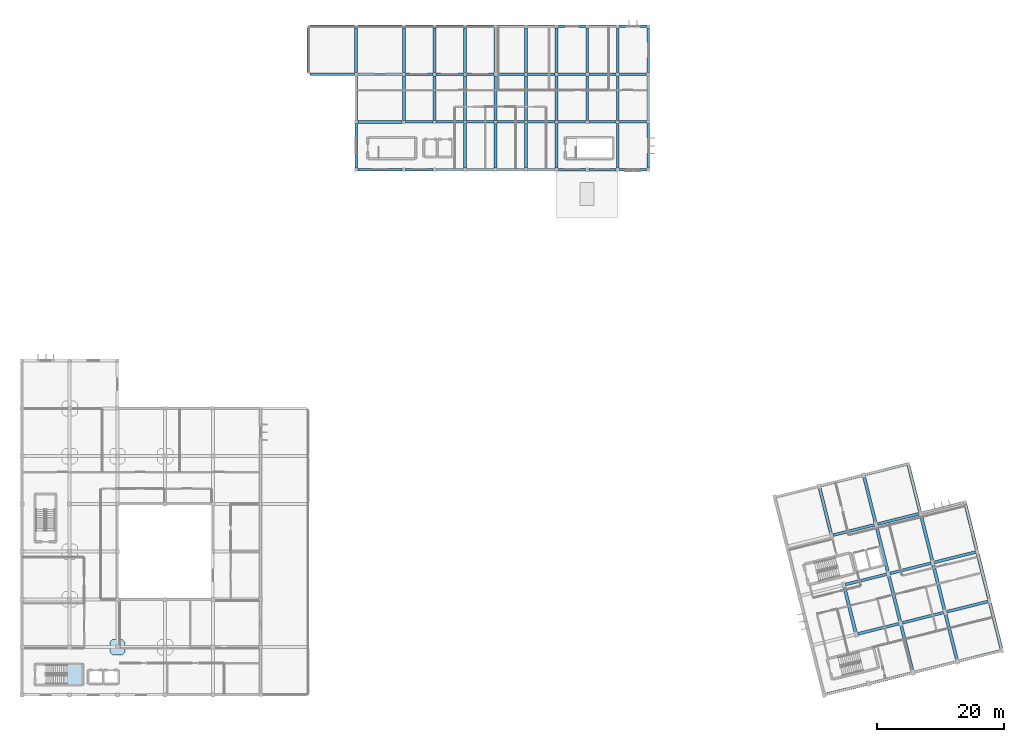
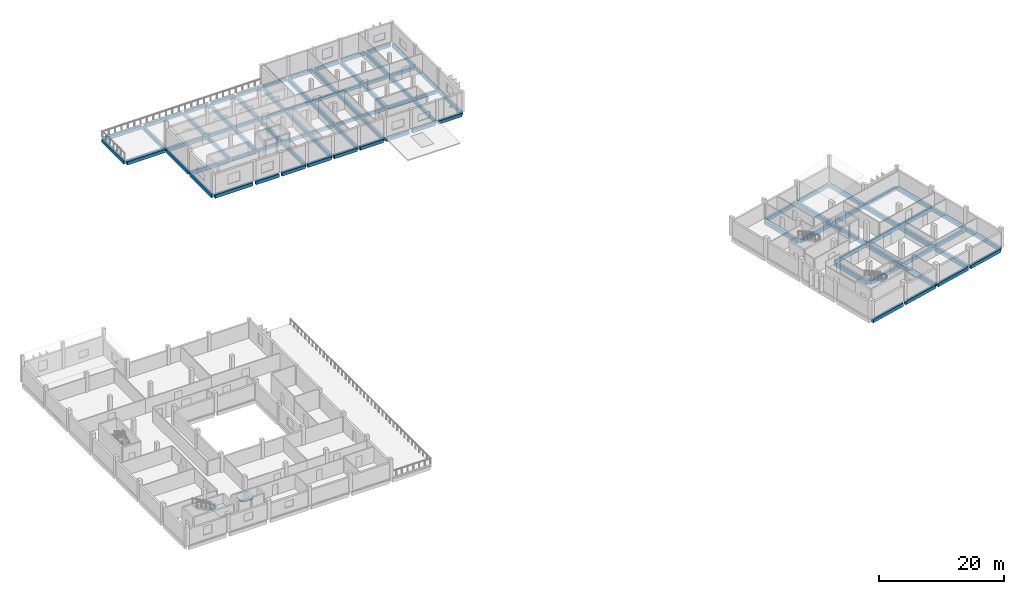
# One storey, part 3 of 21: 94 beams, 2 slabs, 1 element without a shape of its own.
"""IFC4 building model written with IfcOpenShell, lengths in metres."""

from ifc_helpers import new_model, si_unit, direction, frame, origin, origin_2d, place, context, subcontext, project, spatial, polyline, rectangle, outline, extrude, material, layer, layer_set, material_profile, profile_set, type_object, element, aggregate, save


model = new_model("IFC4")

# Units and contexts
model_context = context("Model", 3, precision=1e-05, world=origin(), true_north=direction((0.0, 1.0)))
body_context = subcontext(model_context, "Body", "Model", "MODEL_VIEW")
ifc_project = project(units=[si_unit("LENGTHUNIT", "METRE"), si_unit("AREAUNIT", "SQUARE_METRE"), si_unit("VOLUMEUNIT", "CUBIC_METRE"), si_unit("PLANEANGLEUNIT", "RADIAN"), si_unit("MASSUNIT", "GRAM", prefix="KILO")], contexts=[model_context])

# Site, building, storey
site_placement = place(None, origin())
site = spatial("IfcSite", under=ifc_project, at=site_placement, CompositionType="ELEMENT")
building_placement = place(site_placement, origin())
building = spatial("IfcBuilding", under=site, at=building_placement, Name="Mawjan Specialist Oncology Clinic", CompositionType="ELEMENT")
storey_placement = place(building_placement, frame((0.0, 0.0, 13.5)))
storey = spatial("IfcBuildingStorey", under=building, at=storey_placement, Name="L03", CompositionType="ELEMENT", Elevation=13.5)

# Beams
ifc_material_1 = material(Name="Concrete C40/50", Category="concrete")
ifc_material_profile_1 = material_profile(ifc_material_1, rectangle(XDim=0.39990234375, YDim=0.60009765625, at=origin_2d()), Name="RC BM 400x600", Category="concrete")
ifc_profile_set_1 = profile_set([ifc_material_profile_1], Name="Concrete C40/50")
beam_type_1 = type_object("IfcBeamType", Name="BM-400x600", PredefinedType="BEAM", material=ifc_profile_set_1)
for number, where, z_axis, x_axis, name in (
    (1, (60.260009765625, 90.800048828125, -0.60009765625), (1.0, 0.0, 0.0), (0.0, 1.0, 0.0), "L03 Collector Beam BM-L03-0944"),
    (2, (65.06005859375, 90.800048828125, -0.60009765625), (1.0, 0.0, 0.0), (0.0, 1.0, 0.0), "L03 Collector Beam BM-L03-0945"),
):
    element("IfcBeam", number, at=place(storey_placement, frame(where, z_axis=z_axis, x_axis=x_axis)), inside=storey, type_object=beam_type_1, Name=name, PredefinedType="BEAM", context=body_context, shape_type="SweptSolid", body=[
        extrude(rectangle(XDim=0.39990234375, YDim=0.60009765625, at=origin_2d()), origin(), (0.0, 0.0, 1.0), 4.280029296875),
    ])
beam_1_placement = place(storey_placement, frame((69.860107421875, 90.800048828125, -0.60009765625), z_axis=(1.0, 0.0, 0.0), x_axis=(0.0, 1.0, 0.0)))
element("IfcBeam", 3, at=beam_1_placement, inside=storey, type_object=beam_type_1, Name="L03 Collector Beam BM-L03-0946", PredefinedType="BEAM", context=body_context, shape_type="SweptSolid", body=[
    extrude(rectangle(XDim=0.39990234375, YDim=0.60009765625, at=origin_2d()), origin(), (0.0, 0.0, 1.0), 4.27978515625),
])
for number, where, z_axis, x_axis, name in (
    (4, (74.659912109375, 90.800048828125, -0.60009765625), (1.0, 0.0, 0.0), (0.0, 1.0, 0.0), "L03 Collector Beam BM-L03-0947"),
    (5, (79.4599609375, 90.800048828125, -0.60009765625), (1.0, 0.0, 0.0), (0.0, 1.0, 0.0), "L03 Collector Beam BM-L03-0948"),
    (6, (84.260009765625, 90.800048828125, -0.60009765625), (1.0, 0.0, 0.0), (0.0, 1.0, 0.0), "L03 Collector Beam BM-L03-0949"),
    (7, (89.06005859375, 90.800048828125, -0.60009765625), (1.0, 0.0, 0.0), (0.0, 1.0, 0.0), "L03 Collector Beam BM-L03-0950"),
):
    element("IfcBeam", number, at=place(storey_placement, frame(where, z_axis=z_axis, x_axis=x_axis)), inside=storey, type_object=beam_type_1, Name=name, PredefinedType="BEAM", context=body_context, shape_type="SweptSolid", body=[
        extrude(rectangle(XDim=0.39990234375, YDim=0.60009765625, at=origin_2d()), origin(), (0.0, 0.0, 1.0), 4.280029296875),
    ])
beam_2_placement = place(storey_placement, frame((93.860107421875, 90.800048828125, -0.60009765625), z_axis=(1.0, 0.0, 0.0), x_axis=(0.0, 1.0, 0.0)))
element("IfcBeam", 8, at=beam_2_placement, inside=storey, type_object=beam_type_1, Name="L03 Collector Beam BM-L03-0951", PredefinedType="BEAM", context=body_context, shape_type="SweptSolid", body=[
    extrude(rectangle(XDim=0.39990234375, YDim=0.60009765625, at=origin_2d()), origin(), (0.0, 0.0, 1.0), 4.27978515625),
])
for number, where, z_axis, x_axis, name in (
    (9, (60.260009765625, 98.300048828125, -0.60009765625), (1.0, 0.0, 0.0), (0.0, 1.0, 0.0), "L03 Collector Beam BM-L03-0954"),
    (10, (65.06005859375, 98.300048828125, -0.60009765625), (1.0, 0.0, 0.0), (0.0, 1.0, 0.0), "L03 Collector Beam BM-L03-0955"),
):
    element("IfcBeam", number, at=place(storey_placement, frame(where, z_axis=z_axis, x_axis=x_axis)), inside=storey, type_object=beam_type_1, Name=name, PredefinedType="BEAM", context=body_context, shape_type="SweptSolid", body=[
        extrude(rectangle(XDim=0.39990234375, YDim=0.60009765625, at=origin_2d()), origin(), (0.0, 0.0, 1.0), 4.280029296875),
    ])
beam_3_placement = place(storey_placement, frame((69.860107421875, 98.300048828125, -0.60009765625), z_axis=(1.0, 0.0, 0.0), x_axis=(0.0, 1.0, 0.0)))
element("IfcBeam", 11, at=beam_3_placement, inside=storey, type_object=beam_type_1, Name="L03 Collector Beam BM-L03-0956", PredefinedType="BEAM", context=body_context, shape_type="SweptSolid", body=[
    extrude(rectangle(XDim=0.39990234375, YDim=0.60009765625, at=origin_2d()), origin(), (0.0, 0.0, 1.0), 4.27978515625),
])
for number, where, z_axis, x_axis, name in (
    (12, (74.659912109375, 98.300048828125, -0.60009765625), (1.0, 0.0, 0.0), (0.0, 1.0, 0.0), "L03 Collector Beam BM-L03-0957"),
    (13, (79.4599609375, 98.300048828125, -0.60009765625), (1.0, 0.0, 0.0), (0.0, 1.0, 0.0), "L03 Collector Beam BM-L03-0958"),
    (14, (84.260009765625, 98.300048828125, -0.60009765625), (1.0, 0.0, 0.0), (0.0, 1.0, 0.0), "L03 Collector Beam BM-L03-0959"),
    (15, (89.06005859375, 98.300048828125, -0.60009765625), (1.0, 0.0, 0.0), (0.0, 1.0, 0.0), "L03 Collector Beam BM-L03-0960"),
):
    element("IfcBeam", number, at=place(storey_placement, frame(where, z_axis=z_axis, x_axis=x_axis)), inside=storey, type_object=beam_type_1, Name=name, PredefinedType="BEAM", context=body_context, shape_type="SweptSolid", body=[
        extrude(rectangle(XDim=0.39990234375, YDim=0.60009765625, at=origin_2d()), origin(), (0.0, 0.0, 1.0), 4.280029296875),
    ])
beam_4_placement = place(storey_placement, frame((93.860107421875, 98.300048828125, -0.60009765625), z_axis=(1.0, 0.0, 0.0), x_axis=(0.0, 1.0, 0.0)))
element("IfcBeam", 16, at=beam_4_placement, inside=storey, type_object=beam_type_1, Name="L03 Collector Beam BM-L03-0961", PredefinedType="BEAM", context=body_context, shape_type="SweptSolid", body=[
    extrude(rectangle(XDim=0.39990234375, YDim=0.60009765625, at=origin_2d()), origin(), (0.0, 0.0, 1.0), 4.27978515625),
])
ifc_material_2 = material(Name="Concrete C40/50", Category="concrete")
ifc_material_profile_2 = material_profile(ifc_material_2, rectangle(XDim=0.449951171875, YDim=0.699951171875, at=origin_2d()), Name="RC BM 450x700", Category="concrete")
ifc_profile_set_2 = profile_set([ifc_material_profile_2], Name="Concrete C40/50")
beam_type_2 = type_object("IfcBeamType", Name="BM-450x700", PredefinedType="BEAM", material=ifc_profile_set_2)
for number, where, z_axis, x_axis, name in (
    (17, (52.760009765625, 90.800048828125, -0.64990234375), (1.0, 0.0, 0.0), (0.0, 1.0, 0.0), "L03 Collector Beam BM-L03-0943"),
    (18, (52.760009765625, 98.300048828125, -0.64990234375), (1.0, 0.0, 0.0), (0.0, 1.0, 0.0), "L03 Collector Beam BM-L03-0953"),
    (19, (52.5, 98.56005859375, -0.64990234375), (0.0, 1.0, 0.0), (-1.0, 0.0, 0.0), "L03 Collector Beam BM-L03-1013"),
    (20, (60.0, 91.06005859375, -0.64990234375), (0.0, 1.0, 0.0), (-1.0, 0.0, 0.0), "L03 Collector Beam BM-L03-1014"),
    (21, (60.0, 98.56005859375, -0.64990234375), (0.0, 1.0, 0.0), (-1.0, 0.0, 0.0), "L03 Collector Beam BM-L03-1015"),
    (22, (64.800048828125, 91.06005859375, -0.64990234375), (0.0, 1.0, 0.0), (-1.0, 0.0, 0.0), "L03 Collector Beam BM-L03-1016"),
    (23, (64.800048828125, 98.56005859375, -0.64990234375), (0.0, 1.0, 0.0), (-1.0, 0.0, 0.0), "L03 Collector Beam BM-L03-1017"),
    (24, (69.60009765625, 83.56005859375, -0.64990234375), (0.0, 1.0, 0.0), (-1.0, 0.0, 0.0), "L03 Collector Beam BM-L03-1018"),
    (25, (69.60009765625, 91.06005859375, -0.64990234375), (0.0, 1.0, 0.0), (-1.0, 0.0, 0.0), "L03 Collector Beam BM-L03-1019"),
    (26, (69.60009765625, 98.56005859375, -0.64990234375), (0.0, 1.0, 0.0), (-1.0, 0.0, 0.0), "L03 Collector Beam BM-L03-1020"),
    (27, (74.39990234375, 83.56005859375, -0.64990234375), (0.0, 1.0, 0.0), (-1.0, 0.0, 0.0), "L03 Collector Beam BM-L03-1021"),
    (28, (74.39990234375, 91.06005859375, -0.64990234375), (0.0, 1.0, 0.0), (-1.0, 0.0, 0.0), "L03 Collector Beam BM-L03-1022"),
    (29, (74.39990234375, 98.56005859375, -0.64990234375), (0.0, 1.0, 0.0), (-1.0, 0.0, 0.0), "L03 Collector Beam BM-L03-1023"),
    (30, (79.199951171875, 83.56005859375, -0.64990234375), (0.0, 1.0, 0.0), (-1.0, 0.0, 0.0), "L03 Collector Beam BM-L03-1024"),
    (31, (79.199951171875, 91.06005859375, -0.64990234375), (0.0, 1.0, 0.0), (-1.0, 0.0, 0.0), "L03 Collector Beam BM-L03-1025"),
    (32, (79.199951171875, 98.56005859375, -0.64990234375), (0.0, 1.0, 0.0), (-1.0, 0.0, 0.0), "L03 Collector Beam BM-L03-1026"),
    (33, (84.0, 83.56005859375, -0.64990234375), (0.0, 1.0, 0.0), (-1.0, 0.0, 0.0), "L03 Collector Beam BM-L03-1027"),
    (34, (84.0, 91.06005859375, -0.64990234375), (0.0, 1.0, 0.0), (-1.0, 0.0, 0.0), "L03 Collector Beam BM-L03-1028"),
    (35, (84.0, 98.56005859375, -0.64990234375), (0.0, 1.0, 0.0), (-1.0, 0.0, 0.0), "L03 Collector Beam BM-L03-1029"),
    (36, (88.800048828125, 91.06005859375, -0.64990234375), (0.0, 1.0, 0.0), (-1.0, 0.0, 0.0), "L03 Collector Beam BM-L03-1030"),
    (37, (88.800048828125, 98.56005859375, -0.64990234375), (0.0, 1.0, 0.0), (-1.0, 0.0, 0.0), "L03 Collector Beam BM-L03-1031"),
    (38, (93.60009765625, 91.06005859375, -0.64990234375), (0.0, 1.0, 0.0), (-1.0, 0.0, 0.0), "L03 Collector Beam BM-L03-1033"),
    (39, (93.60009765625, 98.56005859375, -0.64990234375), (0.0, 1.0, 0.0), (-1.0, 0.0, 0.0), "L03 Collector Beam BM-L03-1034"),
):
    element("IfcBeam", number, at=place(storey_placement, frame(where, z_axis=z_axis, x_axis=x_axis)), inside=storey, type_object=beam_type_2, Name=name, PredefinedType="BEAM", context=body_context, shape_type="SweptSolid", body=[
        extrude(rectangle(XDim=0.449951171875, YDim=0.699951171875, at=origin_2d()), origin(), (0.0, 0.0, 1.0), 6.97998046875),
    ])
for number, where, z_axis, x_axis, name in (
    (40, (131.302978515625, 10.3671875, -0.64990234375), (0.970299236251, 0.241907817422, 0.0), (-0.241907817422, 0.970299236251, 0.0), "L03 Collector Beam BM-L03-1043"),
    (41, (138.2890625, 12.10888671875, -0.64990234375), (0.970290657182, 0.241942225716, 0.0), (-0.241942225716, 0.970290657182, 0.0), "L03 Collector Beam BM-L03-1044"),
):
    element("IfcBeam", number, at=place(storey_placement, frame(where, z_axis=z_axis, x_axis=x_axis)), inside=storey, type_object=beam_type_2, Name=name, PredefinedType="BEAM", context=body_context, shape_type="SweptSolid", body=[
        extrude(rectangle(XDim=0.449951171875, YDim=0.699951171875, at=origin_2d()), origin(), (0.0, 0.0, 1.0), 6.68017578125),
    ])
beam_5_placement = place(storey_placement, frame((145.275390625, 13.850830078125, -0.64990234375), z_axis=(0.970294386812, 0.241927267834, 0.0), x_axis=(-0.241927267834, 0.970294386812, 0.0)))
element("IfcBeam", 42, at=beam_5_placement, inside=storey, type_object=beam_type_2, Name="L03 Collector Beam BM-L03-1045", PredefinedType="BEAM", context=body_context, shape_type="SweptSolid", body=[
    extrude(rectangle(XDim=0.449951171875, YDim=0.699951171875, at=origin_2d()), origin(), (0.0, 0.0, 1.0), 6.704833984375),
])
beam_6_placement = place(storey_placement, frame((129.36767578125, 18.12939453125, -0.64990234375), z_axis=(0.970288517742, 0.241950805615, 0.0), x_axis=(-0.241950805615, 0.970288517742, 0.0)))
element("IfcBeam", 43, at=beam_6_placement, inside=storey, type_object=beam_type_2, Name="L03 Collector Beam BM-L03-1047", PredefinedType="BEAM", context=body_context, shape_type="SweptSolid", body=[
    extrude(rectangle(XDim=0.449951171875, YDim=0.699951171875, at=origin_2d()), origin(), (0.0, 0.0, 1.0), 6.679931640625),
])
beam_7_placement = place(storey_placement, frame((136.353759765625, 19.871337890625, -0.64990234375), z_axis=(0.970299236251, 0.241907817422, 0.0), x_axis=(-0.241907817422, 0.970299236251, 0.0)))
element("IfcBeam", 44, at=beam_7_placement, inside=storey, type_object=beam_type_2, Name="L03 Collector Beam BM-L03-1048", PredefinedType="BEAM", context=body_context, shape_type="SweptSolid", body=[
    extrude(rectangle(XDim=0.449951171875, YDim=0.699951171875, at=origin_2d()), origin(), (0.0, 0.0, 1.0), 6.68017578125),
])
beam_8_placement = place(storey_placement, frame((143.33984375, 21.613037109375, -0.64990234375), z_axis=(0.97028797037, 0.241953000717, 0.0), x_axis=(-0.241953000717, 0.97028797037, 0.0)))
element("IfcBeam", 45, at=beam_8_placement, inside=storey, type_object=beam_type_2, Name="L03 Collector Beam BM-L03-1049", PredefinedType="BEAM", context=body_context, shape_type="SweptSolid", body=[
    extrude(rectangle(XDim=0.449951171875, YDim=0.699951171875, at=origin_2d()), origin(), (0.0, 0.0, 1.0), 6.705078125),
])
beam_9_placement = place(storey_placement, frame((127.432373046875, 25.891845703125, -0.64990234375), z_axis=(0.970297097401, 0.241916396252, 0.0), x_axis=(-0.241916396252, 0.970297097401, 0.0)))
element("IfcBeam", 46, at=beam_9_placement, inside=storey, type_object=beam_type_2, Name="L03 Collector Beam BM-L03-1051", PredefinedType="BEAM", context=body_context, shape_type="SweptSolid", body=[
    extrude(rectangle(XDim=0.449951171875, YDim=0.699951171875, at=origin_2d()), origin(), (0.0, 0.0, 1.0), 6.679931640625),
])
beam_10_placement = place(storey_placement, frame((134.41845703125, 27.6337890625, -0.64990234375), z_axis=(0.970296517902, 0.24191872054, 0.0), x_axis=(-0.24191872054, 0.970296517902, 0.0)))
element("IfcBeam", 47, at=beam_10_placement, inside=storey, type_object=beam_type_2, Name="L03 Collector Beam BM-L03-1052", PredefinedType="BEAM", context=body_context, shape_type="SweptSolid", body=[
    extrude(rectangle(XDim=0.449951171875, YDim=0.699951171875, at=origin_2d()), origin(), (0.0, 0.0, 1.0), 6.705078125),
])
ifc_material_3 = material(Name="Concrete C45/55", Category="concrete")
ifc_material_profile_3 = material_profile(ifc_material_3, rectangle(XDim=0.5, YDim=0.800048828125, at=origin_2d()), Name="RC BM 500x800", Category="concrete")
ifc_profile_set_3 = profile_set([ifc_material_profile_3], Name="Concrete C45/55")
beam_type_3 = type_object("IfcBeamType", Name="BM-500x800", PredefinedType="BEAM", material=ifc_profile_set_3)
beam_11_placement = place(storey_placement, frame((130.98779296875, 10.556396484375, -0.699951171875), z_axis=(-0.241921192876, 0.970295901485, 0.0), x_axis=(-0.970295901485, -0.241921192876, 0.0)))
element("IfcBeam", 48, at=beam_11_placement, inside=storey, type_object=beam_type_3, Name="L03 Collector Beam BM-L03-1061", PredefinedType="BEAM", context=body_context, shape_type="SweptSolid", body=[
    extrude(rectangle(XDim=0.5, YDim=0.800048828125, at=origin_2d()), origin(), (0.0, 0.0, 1.0), 7.47998046875),
])
beam_12_placement = place(storey_placement, frame((127.1171875, 26.081298828125, -0.699951171875), z_axis=(-0.241930889434, 0.970293483817, 0.0), x_axis=(-0.970293483817, -0.241930889434, 0.0)))
element("IfcBeam", 49, at=beam_12_placement, inside=storey, type_object=beam_type_3, Name="L03 Collector Beam BM-L03-1062", PredefinedType="BEAM", context=body_context, shape_type="SweptSolid", body=[
    extrude(rectangle(XDim=0.5, YDim=0.800048828125, at=origin_2d()), origin(), (0.0, 0.0, 1.0), 7.5048828125),
])
for number, where, z_axis, x_axis, name in (
    (50, (139.909423828125, 4.535888671875, -0.699951171875), (-0.241921192876, 0.970295901485, 0.0), (-0.970295901485, -0.241921192876, 0.0), "L03 Collector Beam BM-L03-1063"),
    (51, (137.973876953125, 12.29833984375, -0.699951171875), (-0.241921192876, 0.970295901485, 0.0), (-0.970295901485, -0.241921192876, 0.0), "L03 Collector Beam BM-L03-1064"),
):
    element("IfcBeam", number, at=place(storey_placement, frame(where, z_axis=z_axis, x_axis=x_axis)), inside=storey, type_object=beam_type_3, Name=name, PredefinedType="BEAM", context=body_context, shape_type="SweptSolid", body=[
        extrude(rectangle(XDim=0.5, YDim=0.800048828125, at=origin_2d()), origin(), (0.0, 0.0, 1.0), 7.47998046875),
    ])
beam_13_placement = place(storey_placement, frame((134.103271484375, 27.822998046875, -0.699951171875), z_axis=(-0.24192325328, 0.970295387767, 0.0), x_axis=(-0.970295387767, -0.24192325328, 0.0)))
element("IfcBeam", 52, at=beam_13_placement, inside=storey, type_object=beam_type_3, Name="L03 Collector Beam BM-L03-1066", PredefinedType="BEAM", context=body_context, shape_type="SweptSolid", body=[
    extrude(rectangle(XDim=0.5, YDim=0.800048828125, at=origin_2d()), origin(), (0.0, 0.0, 1.0), 7.505126953125),
])
for number, where, z_axis, x_axis, name in (
    (53, (146.8955078125, 6.27783203125, -0.699951171875), (-0.241921192876, 0.970295901485, 0.0), (-0.970295901485, -0.241921192876, 0.0), "L03 Collector Beam BM-L03-1067"),
    (54, (144.960205078125, 14.0400390625, -0.699951171875), (-0.241921192876, 0.970295901485, 0.0), (-0.970295901485, -0.241921192876, 0.0), "L03 Collector Beam BM-L03-1068"),
):
    element("IfcBeam", number, at=place(storey_placement, frame(where, z_axis=z_axis, x_axis=x_axis)), inside=storey, type_object=beam_type_3, Name=name, PredefinedType="BEAM", context=body_context, shape_type="SweptSolid", body=[
        extrude(rectangle(XDim=0.5, YDim=0.800048828125, at=origin_2d()), origin(), (0.0, 0.0, 1.0), 7.47998046875),
    ])
beam_14_placement = place(storey_placement, frame((143.024658203125, 21.802490234375, -0.699951171875), z_axis=(-0.241900262403, 0.970301119782, 0.0), x_axis=(-0.970301119782, -0.241900262403, 0.0)))
element("IfcBeam", 55, at=beam_14_placement, inside=storey, type_object=beam_type_3, Name="L03 Collector Beam BM-L03-1069", PredefinedType="BEAM", context=body_context, shape_type="SweptSolid", body=[
    extrude(rectangle(XDim=0.5, YDim=0.800048828125, at=origin_2d()), origin(), (0.0, 0.0, 1.0), 7.5048828125),
])
ifc_material_4 = material(Name="Concrete C45/55", Category="concrete")
ifc_material_profile_4 = material_profile(ifc_material_4, rectangle(XDim=0.39990234375, YDim=0.64990234375, at=origin_2d()), Name="RC BM 400x650", Category="concrete")
ifc_profile_set_4 = profile_set([ifc_material_profile_4], Name="Concrete C45/55")
beam_type_4 = type_object("IfcBeamType", Name="SP-400x650", PredefinedType="SPANDREL", material=ifc_profile_set_4)
beam_15_placement = place(storey_placement, frame((52.760009765625, 83.300048828125, -0.625), z_axis=(1.0, 0.0, 0.0), x_axis=(0.0, 1.0, 0.0)))
element("IfcBeam", 56, at=beam_15_placement, inside=storey, type_object=beam_type_4, Name="L03 Spandrel Beam BM-L03-0934", PredefinedType="SPANDREL", context=body_context, shape_type="SweptSolid", body=[
    extrude(rectangle(XDim=0.39990234375, YDim=0.64990234375, at=origin_2d()), origin(), (0.0, 0.0, 1.0), 6.97998046875),
])
for number, where, z_axis, x_axis, name in (
    (57, (60.260009765625, 83.300048828125, -0.625), (1.0, 0.0, 0.0), (0.0, 1.0, 0.0), "L03 Spandrel Beam BM-L03-0935"),
    (58, (65.06005859375, 83.300048828125, -0.625), (1.0, 0.0, 0.0), (0.0, 1.0, 0.0), "L03 Spandrel Beam BM-L03-0936"),
):
    element("IfcBeam", number, at=place(storey_placement, frame(where, z_axis=z_axis, x_axis=x_axis)), inside=storey, type_object=beam_type_4, Name=name, PredefinedType="SPANDREL", context=body_context, shape_type="SweptSolid", body=[
        extrude(rectangle(XDim=0.39990234375, YDim=0.64990234375, at=origin_2d()), origin(), (0.0, 0.0, 1.0), 4.280029296875),
    ])
beam_16_placement = place(storey_placement, frame((69.860107421875, 83.300048828125, -0.625), z_axis=(1.0, 0.0, 0.0), x_axis=(0.0, 1.0, 0.0)))
element("IfcBeam", 59, at=beam_16_placement, inside=storey, type_object=beam_type_4, Name="L03 Spandrel Beam BM-L03-0937", PredefinedType="SPANDREL", context=body_context, shape_type="SweptSolid", body=[
    extrude(rectangle(XDim=0.39990234375, YDim=0.64990234375, at=origin_2d()), origin(), (0.0, 0.0, 1.0), 4.27978515625),
])
for number, where, z_axis, x_axis, name in (
    (60, (74.659912109375, 83.300048828125, -0.625), (1.0, 0.0, 0.0), (0.0, 1.0, 0.0), "L03 Spandrel Beam BM-L03-0938"),
    (61, (79.4599609375, 83.300048828125, -0.625), (1.0, 0.0, 0.0), (0.0, 1.0, 0.0), "L03 Spandrel Beam BM-L03-0939"),
    (62, (84.260009765625, 83.300048828125, -0.625), (1.0, 0.0, 0.0), (0.0, 1.0, 0.0), "L03 Spandrel Beam BM-L03-0940"),
    (63, (89.06005859375, 83.300048828125, -0.625), (1.0, 0.0, 0.0), (0.0, 1.0, 0.0), "L03 Spandrel Beam BM-L03-0941"),
):
    element("IfcBeam", number, at=place(storey_placement, frame(where, z_axis=z_axis, x_axis=x_axis)), inside=storey, type_object=beam_type_4, Name=name, PredefinedType="SPANDREL", context=body_context, shape_type="SweptSolid", body=[
        extrude(rectangle(XDim=0.39990234375, YDim=0.64990234375, at=origin_2d()), origin(), (0.0, 0.0, 1.0), 4.280029296875),
    ])
beam_17_placement = place(storey_placement, frame((93.860107421875, 83.300048828125, -0.625), z_axis=(1.0, 0.0, 0.0), x_axis=(0.0, 1.0, 0.0)))
element("IfcBeam", 64, at=beam_17_placement, inside=storey, type_object=beam_type_4, Name="L03 Spandrel Beam BM-L03-0942", PredefinedType="SPANDREL", context=body_context, shape_type="SweptSolid", body=[
    extrude(rectangle(XDim=0.39990234375, YDim=0.64990234375, at=origin_2d()), origin(), (0.0, 0.0, 1.0), 4.27978515625),
])
for number, where, z_axis, x_axis, name in (
    (65, (45.260009765625, 98.300048828125, -0.625), (1.0, 0.0, 0.0), (0.0, 1.0, 0.0), "L03 Spandrel Beam BM-L03-0952"),
    (66, (45.260009765625, 105.800048828125, -0.574951171875), (1.0, 0.0, 0.0), (0.0, 1.0, 0.0), "L03 Spandrel Beam BM-L03-0962"),
    (67, (52.760009765625, 105.800048828125, -0.574951171875), (1.0, 0.0, 0.0), (0.0, 1.0, 0.0), "L03 Spandrel Beam BM-L03-0963"),
):
    element("IfcBeam", number, at=place(storey_placement, frame(where, z_axis=z_axis, x_axis=x_axis)), inside=storey, type_object=beam_type_4, Name=name, PredefinedType="SPANDREL", context=body_context, shape_type="SweptSolid", body=[
        extrude(rectangle(XDim=0.39990234375, YDim=0.64990234375, at=origin_2d()), origin(), (0.0, 0.0, 1.0), 6.97998046875),
    ])
for number, where, z_axis, x_axis, name in (
    (68, (60.260009765625, 105.800048828125, -0.574951171875), (1.0, 0.0, 0.0), (0.0, 1.0, 0.0), "L03 Spandrel Beam BM-L03-0964"),
    (69, (65.06005859375, 105.800048828125, -0.574951171875), (1.0, 0.0, 0.0), (0.0, 1.0, 0.0), "L03 Spandrel Beam BM-L03-0965"),
):
    element("IfcBeam", number, at=place(storey_placement, frame(where, z_axis=z_axis, x_axis=x_axis)), inside=storey, type_object=beam_type_4, Name=name, PredefinedType="SPANDREL", context=body_context, shape_type="SweptSolid", body=[
        extrude(rectangle(XDim=0.39990234375, YDim=0.64990234375, at=origin_2d()), origin(), (0.0, 0.0, 1.0), 4.280029296875),
    ])
beam_18_placement = place(storey_placement, frame((69.860107421875, 105.800048828125, -0.625), z_axis=(1.0, 0.0, 0.0), x_axis=(0.0, 1.0, 0.0)))
element("IfcBeam", 70, at=beam_18_placement, inside=storey, type_object=beam_type_4, Name="L03 Spandrel Beam BM-L03-0966", PredefinedType="SPANDREL", context=body_context, shape_type="SweptSolid", body=[
    extrude(rectangle(XDim=0.39990234375, YDim=0.64990234375, at=origin_2d()), origin(), (0.0, 0.0, 1.0), 4.27978515625),
])
for number, where, z_axis, x_axis, name in (
    (71, (74.659912109375, 105.800048828125, -0.625), (1.0, 0.0, 0.0), (0.0, 1.0, 0.0), "L03 Spandrel Beam BM-L03-0967"),
    (72, (79.4599609375, 105.800048828125, -0.625), (1.0, 0.0, 0.0), (0.0, 1.0, 0.0), "L03 Spandrel Beam BM-L03-0968"),
    (73, (84.260009765625, 105.800048828125, -0.625), (1.0, 0.0, 0.0), (0.0, 1.0, 0.0), "L03 Spandrel Beam BM-L03-0969"),
    (74, (89.06005859375, 105.800048828125, -0.625), (1.0, 0.0, 0.0), (0.0, 1.0, 0.0), "L03 Spandrel Beam BM-L03-0970"),
):
    element("IfcBeam", number, at=place(storey_placement, frame(where, z_axis=z_axis, x_axis=x_axis)), inside=storey, type_object=beam_type_4, Name=name, PredefinedType="SPANDREL", context=body_context, shape_type="SweptSolid", body=[
        extrude(rectangle(XDim=0.39990234375, YDim=0.64990234375, at=origin_2d()), origin(), (0.0, 0.0, 1.0), 4.280029296875),
    ])
beam_19_placement = place(storey_placement, frame((93.860107421875, 105.800048828125, -0.625), z_axis=(1.0, 0.0, 0.0), x_axis=(0.0, 1.0, 0.0)))
element("IfcBeam", 75, at=beam_19_placement, inside=storey, type_object=beam_type_4, Name="L03 Spandrel Beam BM-L03-0971", PredefinedType="SPANDREL", context=body_context, shape_type="SweptSolid", body=[
    extrude(rectangle(XDim=0.39990234375, YDim=0.64990234375, at=origin_2d()), origin(), (0.0, 0.0, 1.0), 4.27978515625),
])
for number, where, z_axis, x_axis, name in (
    (76, (45.0, 98.56005859375, -0.574951171875), (0.0, 1.0, 0.0), (-1.0, 0.0, 0.0), "L03 Spandrel Beam BM-L03-1010"),
    (77, (52.5, 83.56005859375, -0.625), (0.0, 1.0, 0.0), (-1.0, 0.0, 0.0), "L03 Spandrel Beam BM-L03-1011"),
    (78, (52.5, 91.06005859375, -0.625), (0.0, 1.0, 0.0), (-1.0, 0.0, 0.0), "L03 Spandrel Beam BM-L03-1012"),
    (79, (93.60009765625, 83.56005859375, -0.625), (0.0, 1.0, 0.0), (-1.0, 0.0, 0.0), "L03 Spandrel Beam BM-L03-1032"),
    (80, (98.39990234375, 83.56005859375, -0.625), (0.0, 1.0, 0.0), (-1.0, 0.0, 0.0), "L03 Spandrel Beam BM-L03-1035"),
    (81, (98.39990234375, 91.06005859375, -0.625), (0.0, 1.0, 0.0), (-1.0, 0.0, 0.0), "L03 Spandrel Beam BM-L03-1036"),
    (82, (98.39990234375, 98.56005859375, -0.625), (0.0, 1.0, 0.0), (-1.0, 0.0, 0.0), "L03 Spandrel Beam BM-L03-1037"),
):
    element("IfcBeam", number, at=place(storey_placement, frame(where, z_axis=z_axis, x_axis=x_axis)), inside=storey, type_object=beam_type_4, Name=name, PredefinedType="SPANDREL", context=body_context, shape_type="SweptSolid", body=[
        extrude(rectangle(XDim=0.39990234375, YDim=0.64990234375, at=origin_2d()), origin(), (0.0, 0.0, 1.0), 6.97998046875),
    ])
beam_20_placement = place(storey_placement, frame((126.252197265625, 0.86279296875, -0.625), z_axis=(0.970290657182, 0.241942225716, 0.0), x_axis=(-0.241942225716, 0.970290657182, 0.0)))
element("IfcBeam", 83, at=beam_20_placement, inside=storey, type_object=beam_type_4, Name="L03 Spandrel Beam BM-L03-1038", PredefinedType="SPANDREL", context=body_context, shape_type="SweptSolid", body=[
    extrude(rectangle(XDim=0.39990234375, YDim=0.64990234375, at=origin_2d()), origin(), (0.0, 0.0, 1.0), 6.68017578125),
])
for number, where, z_axis, x_axis, name in (
    (84, (133.238525390625, 2.604736328125, -0.625), (0.970297097401, 0.241916396252, 0.0), (-0.241916396252, 0.970297097401, 0.0), "L03 Spandrel Beam BM-L03-1039"),
    (85, (140.224609375, 4.3466796875, -0.625), (0.970297097401, 0.241916396252, 0.0), (-0.241916396252, 0.970297097401, 0.0), "L03 Spandrel Beam BM-L03-1040"),
):
    element("IfcBeam", number, at=place(storey_placement, frame(where, z_axis=z_axis, x_axis=x_axis)), inside=storey, type_object=beam_type_4, Name=name, PredefinedType="SPANDREL", context=body_context, shape_type="SweptSolid", body=[
        extrude(rectangle(XDim=0.39990234375, YDim=0.64990234375, at=origin_2d()), origin(), (0.0, 0.0, 1.0), 6.679931640625),
    ])
beam_21_placement = place(storey_placement, frame((147.210693359375, 6.08837890625, -0.625), z_axis=(0.970296517902, 0.24191872054, 0.0), x_axis=(-0.24191872054, 0.970296517902, 0.0)))
element("IfcBeam", 86, at=beam_21_placement, inside=storey, type_object=beam_type_4, Name="L03 Spandrel Beam BM-L03-1041", PredefinedType="SPANDREL", context=body_context, shape_type="SweptSolid", body=[
    extrude(rectangle(XDim=0.39990234375, YDim=0.64990234375, at=origin_2d()), origin(), (0.0, 0.0, 1.0), 6.705078125),
])
for number, where, z_axis, x_axis, name in (
    (87, (141.38037109375, 29.369384765625, -0.625), (0.970293819569, 0.241929542854, 0.0), (-0.241929542854, 0.970293819569, 0.0), "L03 Spandrel Beam BM-L03-1053"),
    (88, (125.47265625, 33.648193359375, -0.625), (0.970293819569, 0.241929542854, 0.0), (-0.241929542854, 0.970293819569, 0.0), "L03 Spandrel Beam BM-L03-1055"),
    (89, (132.458740234375, 35.389892578125, -0.625), (0.970293819569, 0.241929542854, 0.0), (-0.241929542854, 0.970293819569, 0.0), "L03 Spandrel Beam BM-L03-1056"),
):
    element("IfcBeam", number, at=place(storey_placement, frame(where, z_axis=z_axis, x_axis=x_axis)), inside=storey, type_object=beam_type_4, Name=name, PredefinedType="SPANDREL", context=body_context, shape_type="SweptSolid", body=[
        extrude(rectangle(XDim=0.39990234375, YDim=0.64990234375, at=origin_2d()), origin(), (0.0, 0.0, 1.0), 6.72998046875),
    ])
ifc_material_5 = material(Name="Concrete C45/55", Category="concrete")
ifc_material_profile_5 = material_profile(ifc_material_5, rectangle(XDim=0.5, YDim=0.699951171875, at=origin_2d()), Name="RC BM 500x700", Category="concrete")
ifc_profile_set_5 = profile_set([ifc_material_profile_5], Name="Concrete C45/55")
beam_type_5 = type_object("IfcBeamType", Name="SP-500x700", PredefinedType="SPANDREL", material=ifc_profile_set_5)
beam_22_placement = place(storey_placement, frame((136.03857421875, 20.060791015625, -0.64990234375), z_axis=(-0.241921192876, 0.970295901485, 0.0), x_axis=(-0.970295901485, -0.241921192876, 0.0)))
element("IfcBeam", 90, at=beam_22_placement, inside=storey, type_object=beam_type_5, Name="L03 Spandrel Beam BM-L03-1065", PredefinedType="SPANDREL", context=body_context, shape_type="SweptSolid", body=[
    extrude(rectangle(XDim=0.5, YDim=0.699951171875, at=origin_2d()), origin(), (0.0, 0.0, 1.0), 7.47998046875),
])
for number, where, z_axis, x_axis, name in (
    (91, (141.095458984375, 29.54052734375, -0.64990234375), (-0.241932910606, 0.97029297986, 0.0), (-0.97029297986, -0.241932910606, 0.0), "L03 Spandrel Beam BM-L03-1070"),
    (92, (153.8876953125, 7.995361328125, -0.64990234375), (-0.241932910606, 0.97029297986, 0.0), (-0.97029297986, -0.241932910606, 0.0), "L03 Spandrel Beam BM-L03-1071"),
):
    element("IfcBeam", number, at=place(storey_placement, frame(where, z_axis=z_axis, x_axis=x_axis)), inside=storey, type_object=beam_type_5, Name=name, PredefinedType="SPANDREL", context=body_context, shape_type="SweptSolid", body=[
        extrude(rectangle(XDim=0.5, YDim=0.699951171875, at=origin_2d()), origin(), (0.0, 0.0, 1.0), 7.530029296875),
    ])
beam_23_placement = place(storey_placement, frame((151.952392578125, 15.7578125, -0.64990234375), z_axis=(-0.241940521765, 0.970291082061, 0.0), x_axis=(-0.970291082061, -0.241940521765, 0.0)))
element("IfcBeam", 93, at=beam_23_placement, inside=storey, type_object=beam_type_5, Name="L03 Spandrel Beam BM-L03-1072", PredefinedType="SPANDREL", context=body_context, shape_type="SweptSolid", body=[
    extrude(rectangle(XDim=0.5, YDim=0.699951171875, at=origin_2d()), origin(), (0.0, 0.0, 1.0), 7.52978515625),
])
beam_24_placement = place(storey_placement, frame((150.016845703125, 23.52001953125, -0.64990234375), z_axis=(-0.241902385963, 0.970300590366, 0.0), x_axis=(-0.970300590366, -0.241902385963, 0.0)))
element("IfcBeam", 94, at=beam_24_placement, inside=storey, type_object=beam_type_5, Name="L03 Spandrel Beam BM-L03-1073", PredefinedType="SPANDREL", context=body_context, shape_type="SweptSolid", body=[
    extrude(rectangle(XDim=0.5, YDim=0.699951171875, at=origin_2d()), origin(), (0.0, 0.0, 1.0), 7.530029296875),
])

# Slab
ifc_material_6 = material(Name="Concrete C35/45", Category="concrete")
ifc_layer_1 = layer(ifc_material_6, 0.199951171875, Name="Concrete C35/45", Category="concrete")
ifc_layer_set_1 = layer_set([ifc_layer_1], Name="Concrete C35/45")
slab_type_1 = type_object("IfcSlabType", Name="DP-200", PredefinedType="FLOOR", material=ifc_layer_set_1)
slab_1_placement = place(storey_placement, frame((0.0, 0.0, -0.5)))
element("IfcSlab", 95, at=slab_1_placement, inside=storey, type_object=slab_type_1, Name="L03 Octagonal Column Drop Panel DP-L03-026", PredefinedType="FLOOR", context=body_context, shape_type="SweptSolid", body=[
    extrude(outline(polyline([(14.219970703125, 7.10009765625), (15.780029296875, 7.10009765625), (16.199951171875, 7.52001953125), (16.199951171875, 9.080078125), (15.780029296875, 9.5), (14.219970703125, 9.5), (13.800048828125, 9.080078125), (13.800048828125, 7.52001953125), (14.219970703125, 7.10009765625)])), origin(), (0.0, 0.0, 1.0), 0.199951171875),
])

# Stair, slab
ifc_material_7 = material(Name="Concrete C35/45", Category="concrete")
stair_type = type_object("IfcStairType", Name="STR-CORE40", PredefinedType="HALF_TURN_STAIR", material=ifc_material_7)
stair_placement = place(storey_placement, origin())
stair = element("IfcStair", 96, at=stair_placement, inside=storey, type_object=stair_type, Name="L03 Exit Stair ST-01", PredefinedType="HALF_TURN_STAIR")
ifc_material_8 = material(Name="Concrete C35/45", Category="concrete")
ifc_layer_2 = layer(ifc_material_8, 0.199951171875, Name="Concrete C35/45", Category="concrete")
ifc_layer_set_2 = layer_set([ifc_layer_2], Name="Concrete C35/45")
slab_type_2 = type_object("IfcSlabType", Name="LND-200", PredefinedType="LANDING", material=ifc_layer_set_2)
slab_2_placement = place(storey_placement, frame((0.0, 0.0, 1.800048828125)))
slab_2 = element("IfcSlab", 97, at=slab_2_placement, type_object=slab_type_2, Name="ST-01 landing 1", PredefinedType="LANDING", context=body_context, shape_type="SweptSolid", body=[
    extrude(outline(polyline([(7.0634765625, 2.452392578125), (9.4365234375, 2.452392578125), (9.4365234375, 5.547607421875), (7.0634765625, 5.547607421875), (7.0634765625, 2.452392578125)])), origin(), (0.0, 0.0, 1.0), 0.199951171875),
])
aggregate(stair, [slab_2])

save(model, "model.ifc")
